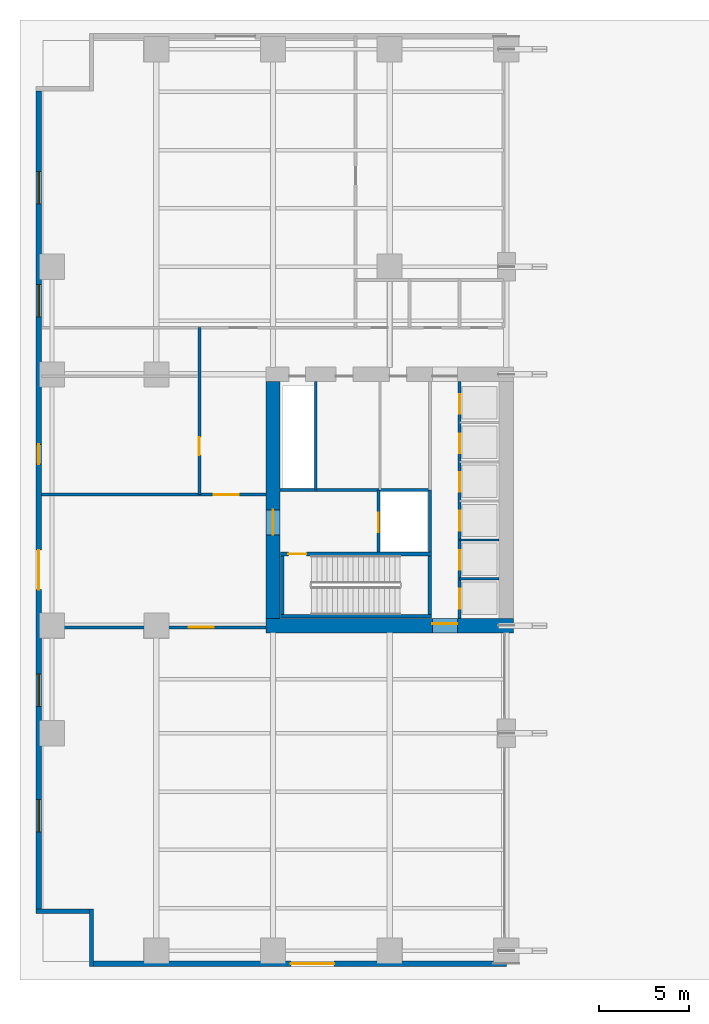
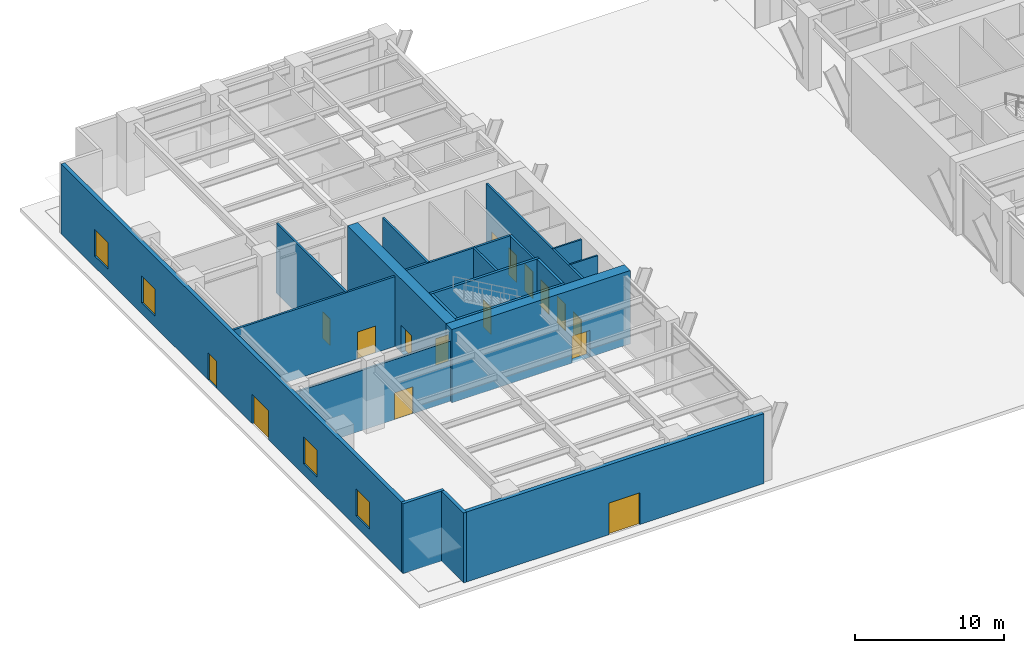
# One storey, part 12 of 20: 20 walls, 16 doors, 4 windows, 20 openings.
"""IFC4 building model written with IfcOpenShell, lengths in metres."""

from ifc_helpers import new_model, si_unit, direction, frame, frame_2d, origin, place, context, subcontext, project, spatial, rectangle, extrude, material, layer, layer_set, type_object, element, fill, save


model = new_model("IFC4")

# Units and contexts
model_context = context("Model", 3, precision=1e-05, world=origin(), true_north=direction((0.0, 1.0)))
body_context = subcontext(model_context, "Body", "Model", "MODEL_VIEW")
ifc_project = project(units=[si_unit("LENGTHUNIT", "METRE"), si_unit("AREAUNIT", "SQUARE_METRE"), si_unit("VOLUMEUNIT", "CUBIC_METRE"), si_unit("PLANEANGLEUNIT", "RADIAN"), si_unit("MASSUNIT", "GRAM", prefix="KILO")], contexts=[model_context])

# Site, building, storey
site_placement = place(None, origin())
site = spatial("IfcSite", under=ifc_project, at=site_placement, CompositionType="ELEMENT")
building_placement = place(site_placement, origin())
building = spatial("IfcBuilding", under=site, at=building_placement, Name="Putna Gate Headquarters", CompositionType="ELEMENT")
storey_placement = place(building_placement, origin())
storey = spatial("IfcBuildingStorey", under=building, at=storey_placement, Name="L00", CompositionType="ELEMENT", Elevation=0.0)

# Wall, opening, door
ifc_material_1 = material(Name="Concrete C60/75", Category="concrete")
ifc_layer_1 = layer(ifc_material_1, 0.800048828125)
ifc_layer_set_1 = layer_set([ifc_layer_1], Name="Concrete C60/75")
wall_type_1 = type_object("IfcWallType", Name="WALL-CORE-800", PredefinedType="SHEAR", material=ifc_layer_set_1)
wall_1_placement = place(storey_placement, frame((12.60009765625, 19.0, 0.0), z_axis=(0.0, 0.0, 1.0), x_axis=(1.0, 0.0, 0.0)))
wall_1 = element("IfcWall", 1, at=wall_1_placement, inside=storey, type_object=wall_type_1, Name="L00 WC Split Core Shear Wall S", PredefinedType="SHEAR", context=body_context, shape_type="SweptSolid", body=[
    extrude(rectangle(XDim=13.7998046875, YDim=0.800048828125, at=frame_2d((6.89990234375, 0.0))), origin(), (0.0, 0.0, 1.0), 6.0),
])
opening_1_placement = place(wall_1_placement, frame((9.280029296875, 0.0, 0.0)))
opening_1 = element("IfcOpeningElement", 2, at=opening_1_placement, cuts=wall_1, Name="Opening FDD-140", PredefinedType="OPENING", context=body_context, shape_type="SweptSolid", body=[
    extrude(rectangle(XDim=1.39990234375, YDim=2.199951171875, at=frame_2d((0.699951171875, 1.10009765625))), frame((0.0, 0.409912109375, 0.0), z_axis=(0.0, -1.0, 0.0), x_axis=(1.0, 0.0, 0.0)), (0.0, 0.0, 1.0), 0.820068359375),
])
ifc_material_2 = material(Name="Double steel fire door", Category="steel")
door_type_1 = type_object("IfcDoorType", Name="DOOR-FIRE-DBL-1400", OperationType="DOUBLE_DOOR_SINGLE_SWING", PredefinedType="DOOR", material=ifc_material_2)
door_1_placement = place(opening_1_placement, origin())
door_1 = element("IfcDoor", 3, at=door_1_placement, inside=storey, type_object=door_type_1, Name="L00 West Lift Lobby South Door", OperationType="DOUBLE_DOOR_SINGLE_SWING", OverallHeight=2.199951171875, OverallWidth=1.39990234375, PredefinedType="DOOR", context=body_context, shape_type="SweptSolid", body=[
    extrude(rectangle(XDim=1.39990234375, YDim=2.199951171875, at=frame_2d((0.699951171875, 1.10009765625))), frame((0.0, 0.125, 0.0), z_axis=(0.0, -1.0, 0.0), x_axis=(1.0, 0.0, 0.0)), (0.0, 0.0, 1.0), 0.050048828125),
])
fill(opening_1, door_1)

wall_2_placement = place(storey_placement, frame((13.0, 19.39990234375, 0.0), z_axis=(0.0, 0.0, 1.0), x_axis=(0.0, 1.0, 0.0)))
wall_2 = element("IfcWall", 4, at=wall_2_placement, inside=storey, type_object=wall_type_1, Name="L00 WC Split Core Shear Wall W", PredefinedType="SHEAR", context=body_context, shape_type="SweptSolid", body=[
    extrude(rectangle(XDim=13.2001953125, YDim=0.800048828125, at=frame_2d((6.60009765625, 0.0))), origin(), (0.0, 0.0, 1.0), 6.0),
])
opening_2_placement = place(wall_2_placement, frame((4.64990234375, 0.0, 0.0)))
opening_2 = element("IfcOpeningElement", 5, at=opening_2_placement, cuts=wall_2, Name="Opening FDD-140", PredefinedType="OPENING", context=body_context, shape_type="SweptSolid", body=[
    extrude(rectangle(XDim=1.39990234375, YDim=2.199951171875, at=frame_2d((0.699951171875, 1.10009765625))), frame((0.0, 0.409912109375, 0.0), z_axis=(0.0, -1.0, 0.0), x_axis=(1.0, 0.0, 0.0)), (0.0, 0.0, 1.0), 0.820068359375),
])
door_2_placement = place(opening_2_placement, origin())
door_2 = element("IfcDoor", 6, at=door_2_placement, inside=storey, type_object=door_type_1, Name="L00 West Firefighting Lobby Door", OperationType="DOUBLE_DOOR_SINGLE_SWING", OverallHeight=2.199951171875, OverallWidth=1.39990234375, PredefinedType="DOOR", context=body_context, shape_type="SweptSolid", body=[
    extrude(rectangle(XDim=1.39990234375, YDim=2.199951171875, at=frame_2d((0.699951171875, 1.10009765625))), frame((0.0, 0.02490234375, 0.0), z_axis=(0.0, -1.0, 0.0), x_axis=(1.0, 0.0, 0.0)), (0.0, 0.0, 1.0), 0.050048828125),
])
fill(opening_2, door_2)

# Wall, openings, doors, windows
ifc_material_3 = material(Name="Precast concrete C40/50", Category="concrete")
ifc_layer_2 = layer(ifc_material_3, 0.300048828125)
ifc_layer_set_2 = layer_set([ifc_layer_2], Name="Precast concrete C40/50")
wall_type_2 = type_object("IfcWallType", Name="WALL-EXT-POD-300", PredefinedType="STANDARD", material=ifc_layer_set_2)
wall_3_placement = place(storey_placement, frame((-0.050048828125, 3.199951171875, 0.0), z_axis=(0.0, 0.0, 1.0), x_axis=(0.0, 1.0, 0.0)))
wall_3 = element("IfcWall", 7, at=wall_3_placement, inside=storey, type_object=wall_type_2, Name="L00 West Exterior Precast Wall", PredefinedType="STANDARD", context=body_context, shape_type="SweptSolid", body=[
    extrude(rectangle(XDim=45.60009765625, YDim=0.300048828125, at=frame_2d((22.800048828125, 0.0))), origin(), (0.0, 0.0, 1.0), 5.719970703125),
])
opening_3_placement = place(wall_3_placement, frame((17.800048828125, 0.0, 0.0)))
opening_3 = element("IfcOpeningElement", 8, at=opening_3_placement, cuts=wall_3, Name="Opening ED-01", PredefinedType="OPENING", context=body_context, shape_type="SweptSolid", body=[
    extrude(rectangle(XDim=2.199951171875, YDim=2.39990234375, at=frame_2d((1.10009765625, 1.199951171875))), frame((0.0, 0.159912109375, 0.0), z_axis=(0.0, -1.0, 0.0), x_axis=(1.0, 0.0, 0.0)), (0.0, 0.0, 1.0), 0.320068359375),
])
opening_4_placement = place(wall_3_placement, frame((24.800048828125, 0.0, 0.0)))
opening_4 = element("IfcOpeningElement", 9, at=opening_4_placement, cuts=wall_3, Name="Opening FD-EXT", PredefinedType="OPENING", context=body_context, shape_type="SweptSolid", body=[
    extrude(rectangle(XDim=1.10009765625, YDim=2.199951171875, at=frame_2d((0.550048828125, 1.10009765625))), frame((0.0, 0.159912109375, 0.0), z_axis=(0.0, -1.0, 0.0), x_axis=(1.0, 0.0, 0.0)), (0.0, 0.0, 1.0), 0.320068359375),
])
opening_5_placement = place(wall_3_placement, frame((4.300048828125, 0.0, 0.89990234375)))
opening_5 = element("IfcOpeningElement", 10, at=opening_5_placement, cuts=wall_3, Name="Opening WN-1", PredefinedType="OPENING", context=body_context, shape_type="SweptSolid", body=[
    extrude(rectangle(XDim=1.800048828125, YDim=2.199951171875, at=frame_2d((0.89990234375, 1.10009765625))), frame((0.0, 0.159912109375, 0.0), z_axis=(0.0, -1.0, 0.0), x_axis=(1.0, 0.0, 0.0)), (0.0, 0.0, 1.0), 0.320068359375),
])
opening_6_placement = place(wall_3_placement, frame((11.300048828125, 0.0, 0.89990234375)))
opening_6 = element("IfcOpeningElement", 11, at=opening_6_placement, cuts=wall_3, Name="Opening WN-1", PredefinedType="OPENING", context=body_context, shape_type="SweptSolid", body=[
    extrude(rectangle(XDim=1.800048828125, YDim=2.199951171875, at=frame_2d((0.89990234375, 1.10009765625))), frame((0.0, 0.159912109375, 0.0), z_axis=(0.0, -1.0, 0.0), x_axis=(1.0, 0.0, 0.0)), (0.0, 0.0, 1.0), 0.320068359375),
])
opening_7_placement = place(wall_3_placement, frame((33.0, 0.0, 0.89990234375)))
opening_7 = element("IfcOpeningElement", 12, at=opening_7_placement, cuts=wall_3, Name="Opening WN-1", PredefinedType="OPENING", context=body_context, shape_type="SweptSolid", body=[
    extrude(rectangle(XDim=1.800048828125, YDim=2.199951171875, at=frame_2d((0.89990234375, 1.10009765625))), frame((0.0, 0.159912109375, 0.0), z_axis=(0.0, -1.0, 0.0), x_axis=(1.0, 0.0, 0.0)), (0.0, 0.0, 1.0), 0.320068359375),
])
opening_8_placement = place(wall_3_placement, frame((39.300048828125, 0.0, 0.89990234375)))
opening_8 = element("IfcOpeningElement", 13, at=opening_8_placement, cuts=wall_3, Name="Opening WN-1", PredefinedType="OPENING", context=body_context, shape_type="SweptSolid", body=[
    extrude(rectangle(XDim=1.800048828125, YDim=2.199951171875, at=frame_2d((0.89990234375, 1.10009765625))), frame((0.0, 0.159912109375, 0.0), z_axis=(0.0, -1.0, 0.0), x_axis=(1.0, 0.0, 0.0)), (0.0, 0.0, 1.0), 0.320068359375),
])
ifc_material_4 = material(Name="Powder-coated steel fire access door", Category="steel")
door_type_2 = type_object("IfcDoorType", Name="DOOR-FCC-EXT-1100", OperationType="SINGLE_SWING_LEFT", PredefinedType="DOOR", material=ifc_material_4)
door_3_placement = place(opening_4_placement, origin())
door_3 = element("IfcDoor", 14, at=door_3_placement, inside=storey, type_object=door_type_2, Name="L00 Fire Command Room Exterior Access Door", OperationType="SINGLE_SWING_LEFT", OverallHeight=2.199951171875, OverallWidth=1.10009765625, PredefinedType="DOOR", context=body_context, shape_type="SweptSolid", body=[
    extrude(rectangle(XDim=1.10009765625, YDim=2.199951171875, at=frame_2d((0.550048828125, 1.10009765625))), frame((0.0, 0.02490234375, 0.0), z_axis=(0.0, -1.0, 0.0), x_axis=(1.0, 0.0, 0.0)), (0.0, 0.0, 1.0), 0.050048828125),
])
fill(opening_4, door_3)
ifc_material_5 = material(Name="Anodised bronze aluminium glazed exit door", Category="aluminium")
door_type_3 = type_object("IfcDoorType", Name="DOOR-FINAL-ED-01", OperationType="DOUBLE_DOOR_SINGLE_SWING", PredefinedType="DOOR", material=ifc_material_5)
door_4_placement = place(opening_3_placement, origin())
door_4 = element("IfcDoor", 15, at=door_4_placement, inside=storey, type_object=door_type_3, Name="L00 Final Exit Discharge Door ED-01", OperationType="DOUBLE_DOOR_SINGLE_SWING", OverallHeight=2.39990234375, OverallWidth=2.199951171875, PredefinedType="DOOR", context=body_context, shape_type="SweptSolid", body=[
    extrude(rectangle(XDim=2.199951171875, YDim=2.39990234375, at=frame_2d((1.10009765625, 1.199951171875))), frame((0.0, 0.02490234375, 0.0), z_axis=(0.0, -1.0, 0.0), x_axis=(1.0, 0.0, 0.0)), (0.0, 0.0, 1.0), 0.050048828125),
])
fill(opening_3, door_4)
ifc_material_6 = material(Name="Triple low-E insulated glazing in bronze aluminium frame", Category="aluminium")
window_type = type_object("IfcWindowType", Name="WIN-EXT-1800x2200", PartitioningType="SINGLE_PANEL", PredefinedType="WINDOW", material=ifc_material_6)
window_1_placement = place(opening_5_placement, origin())
window_1 = element("IfcWindow", 16, at=window_1_placement, inside=storey, type_object=window_type, Name="L00 West Podium Window 1", OverallHeight=2.199951171875, OverallWidth=1.800048828125, PartitioningType="SINGLE_PANEL", PredefinedType="WINDOW", context=body_context, shape_type="SweptSolid", body=[
    extrude(rectangle(XDim=1.800048828125, YDim=2.199951171875, at=frame_2d((0.89990234375, 1.10009765625))), frame((0.0, 0.030029296875, 0.0), z_axis=(0.0, -1.0, 0.0), x_axis=(1.0, 0.0, 0.0)), (0.0, 0.0, 1.0), 0.06005859375),
])
fill(opening_5, window_1)
window_2_placement = place(opening_6_placement, origin())
window_2 = element("IfcWindow", 17, at=window_2_placement, inside=storey, type_object=window_type, Name="L00 West Podium Window 2", OverallHeight=2.199951171875, OverallWidth=1.800048828125, PartitioningType="SINGLE_PANEL", PredefinedType="WINDOW", context=body_context, shape_type="SweptSolid", body=[
    extrude(rectangle(XDim=1.800048828125, YDim=2.199951171875, at=frame_2d((0.89990234375, 1.10009765625))), frame((0.0, 0.030029296875, 0.0), z_axis=(0.0, -1.0, 0.0), x_axis=(1.0, 0.0, 0.0)), (0.0, 0.0, 1.0), 0.06005859375),
])
fill(opening_6, window_2)
window_3_placement = place(opening_7_placement, origin())
window_3 = element("IfcWindow", 18, at=window_3_placement, inside=storey, type_object=window_type, Name="L00 West Podium Window 3", OverallHeight=2.199951171875, OverallWidth=1.800048828125, PartitioningType="SINGLE_PANEL", PredefinedType="WINDOW", context=body_context, shape_type="SweptSolid", body=[
    extrude(rectangle(XDim=1.800048828125, YDim=2.199951171875, at=frame_2d((0.89990234375, 1.10009765625))), frame((0.0, 0.030029296875, 0.0), z_axis=(0.0, -1.0, 0.0), x_axis=(1.0, 0.0, 0.0)), (0.0, 0.0, 1.0), 0.06005859375),
])
fill(opening_7, window_3)
window_4_placement = place(opening_8_placement, origin())
window_4 = element("IfcWindow", 19, at=window_4_placement, inside=storey, type_object=window_type, Name="L00 West Podium Window 4", OverallHeight=2.199951171875, OverallWidth=1.800048828125, PartitioningType="SINGLE_PANEL", PredefinedType="WINDOW", context=body_context, shape_type="SweptSolid", body=[
    extrude(rectangle(XDim=1.800048828125, YDim=2.199951171875, at=frame_2d((0.89990234375, 1.10009765625))), frame((0.0, 0.030029296875, 0.0), z_axis=(0.0, -1.0, 0.0), x_axis=(1.0, 0.0, 0.0)), (0.0, 0.0, 1.0), 0.06005859375),
])
fill(opening_8, window_4)

# Wall, opening, door
wall_4_placement = place(storey_placement, frame((26.0, 0.14990234375, 0.0), z_axis=(0.0, 0.0, 1.0), x_axis=(-1.0, 0.0, 0.0)))
wall_4 = element("IfcWall", 20, at=wall_4_placement, inside=storey, type_object=wall_type_2, Name="L00 South West Main Entrance Wall", PredefinedType="STANDARD", context=body_context, shape_type="SweptSolid", body=[
    extrude(rectangle(XDim=23.0, YDim=0.300048828125, at=frame_2d((11.5, 0.0))), origin(), (0.0, 0.0, 1.0), 5.719970703125),
])
opening_9_placement = place(wall_4_placement, frame((9.60009765625, 0.0, 0.0)))
opening_9 = element("IfcOpeningElement", 21, at=opening_9_placement, cuts=wall_4, Name="Opening MD-1", PredefinedType="OPENING", context=body_context, shape_type="SweptSolid", body=[
    extrude(rectangle(XDim=2.39990234375, YDim=2.60009765625, at=frame_2d((1.199951171875, 1.300048828125))), frame((0.0, 0.159912109375, 0.0), z_axis=(0.0, -1.0, 0.0), x_axis=(1.0, 0.0, 0.0)), (0.0, 0.0, 1.0), 0.320068359375),
])
ifc_material_7 = material(Name="Anodised bronze aluminium entrance door", Category="aluminium")
door_type_4 = type_object("IfcDoorType", Name="DOOR-MAIN-ENT-2400", OperationType="DOUBLE_DOOR_SINGLE_SWING", PredefinedType="DOOR", material=ifc_material_7)
door_5_placement = place(opening_9_placement, origin())
door_5 = element("IfcDoor", 22, at=door_5_placement, inside=storey, type_object=door_type_4, Name="L00 Main Entrance Door West", OperationType="DOUBLE_DOOR_SINGLE_SWING", OverallHeight=2.60009765625, OverallWidth=2.39990234375, PredefinedType="DOOR", context=body_context, shape_type="SweptSolid", body=[
    extrude(rectangle(XDim=2.39990234375, YDim=2.60009765625, at=frame_2d((1.199951171875, 1.300048828125))), frame((0.0, 0.02490234375, 0.0), z_axis=(0.0, -1.0, 0.0), x_axis=(1.0, 0.0, 0.0)), (0.0, 0.0, 1.0), 0.050048828125),
])
fill(opening_9, door_5)

# Walls
ifc_layer_3 = layer(ifc_material_3, 0.239990234375)
ifc_layer_set_3 = layer_set([ifc_layer_3], Name="Precast concrete C40/50")
wall_type_3 = type_object("IfcWallType", Name="WALL-EXT-TERR-240", PredefinedType="STANDARD", material=ifc_layer_set_3)
for number, where, z_axis, x_axis, name in (
    (23, (2.8798828125, 0.0, 0.0), (0.0, 0.0, 1.0), (0.0, 1.0, 0.0), "L00 Corner Notch Return Wall SW-V"),
    (24, (3.0, 3.080078125, 0.0), (0.0, 0.0, 1.0), (-1.0, 0.0, 0.0), "L00 Corner Notch Return Wall SW-H"),
):
    element("IfcWall", number, at=place(storey_placement, frame(where, z_axis=z_axis, x_axis=x_axis)), inside=storey, type_object=wall_type_3, Name=name, PredefinedType="STANDARD", context=body_context, shape_type="SweptSolid", body=[
        extrude(rectangle(XDim=3.199951171875, YDim=0.239990234375, at=frame_2d((1.60009765625, 0.0))), origin(), (0.0, 0.0, 1.0), 5.719970703125),
    ])
ifc_material_8 = material(Name="Fire-rated shaftwall gypsum board on metal stud")
ifc_layer_4 = layer(ifc_material_8, 0.1201171875)
ifc_layer_set_4 = layer_set([ifc_layer_4], Name="Fire-rated shaftwall gypsum board on metal stud")
wall_type_4 = type_object("IfcWallType", Name="WALL-PART-120-EI120", PredefinedType="PARTITIONING", material=ifc_layer_set_4)
for number, where, z_axis, x_axis, name in (
    (25, (23.39990234375, 21.610107421875, 0.0), (0.0, 0.0, 1.0), (1.0, 0.0, 0.0), "L00 Interior Wall CWINT-L00-WC-LF01-DIV"),
    (26, (23.39990234375, 23.780029296875, 0.0), (0.0, 0.0, 1.0), (1.0, 0.0, 0.0), "L00 Interior Wall CWINT-L00-WC-LF02-DIV"),
):
    element("IfcWall", number, at=place(storey_placement, frame(where, z_axis=z_axis, x_axis=x_axis)), inside=storey, type_object=wall_type_4, Name=name, PredefinedType="PARTITIONING", context=body_context, shape_type="SweptSolid", body=[
        extrude(rectangle(XDim=2.2001953125, YDim=0.1201171875, at=frame_2d((1.10009765625, 0.0))), origin(), (0.0, 0.0, 1.0), 5.719970703125),
    ])
ifc_material_9 = material(Name="Concrete C40/50", Category="concrete")
ifc_layer_5 = layer(ifc_material_9, 0.159912109375)
ifc_layer_set_5 = layer_set([ifc_layer_5], Name="Concrete C40/50")
wall_type_5 = type_object("IfcWallType", Name="WALL-SHAFT-160", PredefinedType="STANDARD", material=ifc_layer_set_5)
wall_5_placement = place(storey_placement, frame((21.739990234375, 23.090087890625, 0.0), z_axis=(0.0, 0.0, 1.0), x_axis=(0.0, 1.0, 0.0)))
element("IfcWall", 27, at=wall_5_placement, inside=storey, type_object=wall_type_5, Name="L00 Interior Wall CWINT-L00-WC-FFL-E", PredefinedType="STANDARD", context=body_context, shape_type="SweptSolid", body=[
    extrude(rectangle(XDim=3.469970703125, YDim=0.159912109375, at=frame_2d((1.73486328125, 0.0))), origin(), (0.0, 0.0, 1.0), 5.719970703125),
])

# Wall, opening, door
wall_6_placement = place(storey_placement, frame((18.8798828125, 23.090087890625, 0.0), z_axis=(0.0, 0.0, 1.0), x_axis=(0.0, 1.0, 0.0)))
wall_6 = element("IfcWall", 28, at=wall_6_placement, inside=storey, type_object=wall_type_5, Name="L00 Interior Wall CWINT-L00-WC-LF13-W", PredefinedType="STANDARD", context=body_context, shape_type="SweptSolid", body=[
    extrude(rectangle(XDim=3.469970703125, YDim=0.159912109375, at=frame_2d((1.73486328125, 0.0))), origin(), (0.0, 0.0, 1.0), 5.719970703125),
])
opening_10_placement = place(wall_6_placement, frame((1.10009765625, 0.0, 0.0)))
opening_10 = element("IfcOpeningElement", 29, at=opening_10_placement, cuts=wall_6, Name="Opening LD-1", PredefinedType="OPENING", context=body_context, shape_type="SweptSolid", body=[
    extrude(rectangle(XDim=1.10009765625, YDim=2.199951171875, at=frame_2d((0.550048828125, 1.10009765625))), frame((0.0, 0.08984375, 0.0), z_axis=(0.0, -1.0, 0.0), x_axis=(1.0, 0.0, 0.0)), (0.0, 0.0, 1.0), 0.179931640625),
])
ifc_material_10 = material(Name="Brushed bronze stainless lift landing door")
door_type_5 = type_object("IfcDoorType", Name="DOOR-LIFT-1100", OperationType="DOUBLE_DOOR_SLIDING", PredefinedType="DOOR", material=ifc_material_10)
door_6_placement = place(opening_10_placement, origin())
door_6 = element("IfcDoor", 30, at=door_6_placement, inside=storey, type_object=door_type_5, Name="L00 Lift Landing Door LD-13", OperationType="DOUBLE_DOOR_SLIDING", OverallHeight=2.199951171875, OverallWidth=1.10009765625, PredefinedType="DOOR", context=body_context, shape_type="SweptSolid", body=[
    extrude(rectangle(XDim=1.10009765625, YDim=2.199951171875, at=frame_2d((0.550048828125, 1.10009765625))), frame((0.0, 0.02490234375, 0.0), z_axis=(0.0, -1.0, 0.0), x_axis=(1.0, 0.0, 0.0)), (0.0, 0.0, 1.0), 0.050048828125),
])
fill(opening_10, door_6)

# Walls
wall_7_placement = place(storey_placement, frame((13.39990234375, 26.56005859375, 0.0), z_axis=(0.0, 0.0, 1.0), x_axis=(1.0, 0.0, 0.0)))
element("IfcWall", 31, at=wall_7_placement, inside=storey, type_object=wall_type_5, Name="L00 Interior Wall CWINT-L00-WC-FFL-N", PredefinedType="STANDARD", context=body_context, shape_type="SweptSolid", body=[
    extrude(rectangle(XDim=8.340087890625, YDim=0.159912109375, at=frame_2d((4.169921875, 0.0))), origin(), (0.0, 0.0, 1.0), 5.719970703125),
])
wall_8_placement = place(storey_placement, frame((15.3798828125, 26.56005859375, 0.0), z_axis=(0.0, 0.0, 1.0), x_axis=(0.0, 1.0, 0.0)))
element("IfcWall", 32, at=wall_8_placement, inside=storey, type_object=wall_type_5, Name="L00 Interior Wall CWINT-L00-WC-RISER-E", PredefinedType="STANDARD", context=body_context, shape_type="SweptSolid", body=[
    extrude(rectangle(XDim=6.0400390625, YDim=0.159912109375, at=frame_2d((3.02001953125, 0.0))), origin(), (0.0, 0.0, 1.0), 5.719970703125),
])

# Wall, openings, doors
wall_9_placement = place(storey_placement, frame((23.39990234375, 19.39990234375, 0.0), z_axis=(0.0, 0.0, 1.0), x_axis=(0.0, 1.0, 0.0)))
wall_9 = element("IfcWall", 33, at=wall_9_placement, inside=storey, type_object=wall_type_5, Name="L00 Interior Wall CWINT-L00-WC-PL-WALL", PredefinedType="STANDARD", context=body_context, shape_type="SweptSolid", body=[
    extrude(rectangle(XDim=13.2001953125, YDim=0.159912109375, at=frame_2d((6.60009765625, 0.0))), origin(), (0.0, 0.0, 1.0), 5.719970703125),
])
opening_11_placement = place(wall_9_placement, frame((0.550048828125, 0.0, 0.0)))
opening_11 = element("IfcOpeningElement", 34, at=opening_11_placement, cuts=wall_9, Name="Opening LD-1", PredefinedType="OPENING", context=body_context, shape_type="SweptSolid", body=[
    extrude(rectangle(XDim=1.10009765625, YDim=2.199951171875, at=frame_2d((0.550048828125, 1.10009765625))), frame((0.0, 0.08984375, 0.0), z_axis=(0.0, -1.0, 0.0), x_axis=(1.0, 0.0, 0.0)), (0.0, 0.0, 1.0), 0.179931640625),
])
opening_12_placement = place(wall_9_placement, frame((2.699951171875, 0.0, 0.0)))
opening_12 = element("IfcOpeningElement", 35, at=opening_12_placement, cuts=wall_9, Name="Opening LD-1", PredefinedType="OPENING", context=body_context, shape_type="SweptSolid", body=[
    extrude(rectangle(XDim=1.10009765625, YDim=2.199951171875, at=frame_2d((0.550048828125, 1.10009765625))), frame((0.0, 0.08984375, 0.0), z_axis=(0.0, -1.0, 0.0), x_axis=(1.0, 0.0, 0.0)), (0.0, 0.0, 1.0), 0.179931640625),
])
opening_13_placement = place(wall_9_placement, frame((4.89990234375, 0.0, 0.0)))
opening_13 = element("IfcOpeningElement", 36, at=opening_13_placement, cuts=wall_9, Name="Opening LD-1", PredefinedType="OPENING", context=body_context, shape_type="SweptSolid", body=[
    extrude(rectangle(XDim=1.10009765625, YDim=2.199951171875, at=frame_2d((0.550048828125, 1.10009765625))), frame((0.0, 0.08984375, 0.0), z_axis=(0.0, -1.0, 0.0), x_axis=(1.0, 0.0, 0.0)), (0.0, 0.0, 1.0), 0.179931640625),
])
opening_14_placement = place(wall_9_placement, frame((7.050048828125, 0.0, 0.0)))
opening_14 = element("IfcOpeningElement", 37, at=opening_14_placement, cuts=wall_9, Name="Opening LD-1", PredefinedType="OPENING", context=body_context, shape_type="SweptSolid", body=[
    extrude(rectangle(XDim=1.10009765625, YDim=2.199951171875, at=frame_2d((0.550048828125, 1.10009765625))), frame((0.0, 0.08984375, 0.0), z_axis=(0.0, -1.0, 0.0), x_axis=(1.0, 0.0, 0.0)), (0.0, 0.0, 1.0), 0.179931640625),
])
opening_15_placement = place(wall_9_placement, frame((9.199951171875, 0.0, 0.0)))
opening_15 = element("IfcOpeningElement", 38, at=opening_15_placement, cuts=wall_9, Name="Opening LD-1", PredefinedType="OPENING", context=body_context, shape_type="SweptSolid", body=[
    extrude(rectangle(XDim=1.10009765625, YDim=2.199951171875, at=frame_2d((0.550048828125, 1.10009765625))), frame((0.0, 0.08984375, 0.0), z_axis=(0.0, -1.0, 0.0), x_axis=(1.0, 0.0, 0.0)), (0.0, 0.0, 1.0), 0.179931640625),
])
opening_16_placement = place(wall_9_placement, frame((11.39990234375, 0.0, 0.0)))
opening_16 = element("IfcOpeningElement", 39, at=opening_16_placement, cuts=wall_9, Name="Opening LD-1", PredefinedType="OPENING", context=body_context, shape_type="SweptSolid", body=[
    extrude(rectangle(XDim=1.10009765625, YDim=2.199951171875, at=frame_2d((0.550048828125, 1.10009765625))), frame((0.0, 0.08984375, 0.0), z_axis=(0.0, -1.0, 0.0), x_axis=(1.0, 0.0, 0.0)), (0.0, 0.0, 1.0), 0.179931640625),
])
door_7_placement = place(opening_11_placement, origin())
door_7 = element("IfcDoor", 40, at=door_7_placement, inside=storey, type_object=door_type_5, Name="L00 Lift Landing Door LD-01", OperationType="DOUBLE_DOOR_SLIDING", OverallHeight=2.199951171875, OverallWidth=1.10009765625, PredefinedType="DOOR", context=body_context, shape_type="SweptSolid", body=[
    extrude(rectangle(XDim=1.10009765625, YDim=2.199951171875, at=frame_2d((0.550048828125, 1.10009765625))), frame((0.0, 0.02490234375, 0.0), z_axis=(0.0, -1.0, 0.0), x_axis=(1.0, 0.0, 0.0)), (0.0, 0.0, 1.0), 0.050048828125),
])
fill(opening_11, door_7)
door_8_placement = place(opening_12_placement, origin())
door_8 = element("IfcDoor", 41, at=door_8_placement, inside=storey, type_object=door_type_5, Name="L00 Lift Landing Door LD-02", OperationType="DOUBLE_DOOR_SLIDING", OverallHeight=2.199951171875, OverallWidth=1.10009765625, PredefinedType="DOOR", context=body_context, shape_type="SweptSolid", body=[
    extrude(rectangle(XDim=1.10009765625, YDim=2.199951171875, at=frame_2d((0.550048828125, 1.10009765625))), frame((0.0, 0.02490234375, 0.0), z_axis=(0.0, -1.0, 0.0), x_axis=(1.0, 0.0, 0.0)), (0.0, 0.0, 1.0), 0.050048828125),
])
fill(opening_12, door_8)
door_9_placement = place(opening_13_placement, origin())
door_9 = element("IfcDoor", 42, at=door_9_placement, inside=storey, type_object=door_type_5, Name="L00 Lift Landing Door LD-05", OperationType="DOUBLE_DOOR_SLIDING", OverallHeight=2.199951171875, OverallWidth=1.10009765625, PredefinedType="DOOR", context=body_context, shape_type="SweptSolid", body=[
    extrude(rectangle(XDim=1.10009765625, YDim=2.199951171875, at=frame_2d((0.550048828125, 1.10009765625))), frame((0.0, 0.02490234375, 0.0), z_axis=(0.0, -1.0, 0.0), x_axis=(1.0, 0.0, 0.0)), (0.0, 0.0, 1.0), 0.050048828125),
])
fill(opening_13, door_9)
door_10_placement = place(opening_14_placement, origin())
door_10 = element("IfcDoor", 43, at=door_10_placement, inside=storey, type_object=door_type_5, Name="L00 Lift Landing Door LD-06", OperationType="DOUBLE_DOOR_SLIDING", OverallHeight=2.199951171875, OverallWidth=1.10009765625, PredefinedType="DOOR", context=body_context, shape_type="SweptSolid", body=[
    extrude(rectangle(XDim=1.10009765625, YDim=2.199951171875, at=frame_2d((0.550048828125, 1.10009765625))), frame((0.0, 0.02490234375, 0.0), z_axis=(0.0, -1.0, 0.0), x_axis=(1.0, 0.0, 0.0)), (0.0, 0.0, 1.0), 0.050048828125),
])
fill(opening_14, door_10)
door_11_placement = place(opening_15_placement, origin())
door_11 = element("IfcDoor", 44, at=door_11_placement, inside=storey, type_object=door_type_5, Name="L00 Lift Landing Door LD-09", OperationType="DOUBLE_DOOR_SLIDING", OverallHeight=2.199951171875, OverallWidth=1.10009765625, PredefinedType="DOOR", context=body_context, shape_type="SweptSolid", body=[
    extrude(rectangle(XDim=1.10009765625, YDim=2.199951171875, at=frame_2d((0.550048828125, 1.10009765625))), frame((0.0, 0.02490234375, 0.0), z_axis=(0.0, -1.0, 0.0), x_axis=(1.0, 0.0, 0.0)), (0.0, 0.0, 1.0), 0.050048828125),
])
fill(opening_15, door_11)
door_12_placement = place(opening_16_placement, origin())
door_12 = element("IfcDoor", 45, at=door_12_placement, inside=storey, type_object=door_type_5, Name="L00 Lift Landing Door LD-10", OperationType="DOUBLE_DOOR_SLIDING", OverallHeight=2.199951171875, OverallWidth=1.10009765625, PredefinedType="DOOR", context=body_context, shape_type="SweptSolid", body=[
    extrude(rectangle(XDim=1.10009765625, YDim=2.199951171875, at=frame_2d((0.550048828125, 1.10009765625))), frame((0.0, 0.02490234375, 0.0), z_axis=(0.0, -1.0, 0.0), x_axis=(1.0, 0.0, 0.0)), (0.0, 0.0, 1.0), 0.050048828125),
])
fill(opening_16, door_12)

# Wall, opening, door
wall_10_placement = place(storey_placement, frame((0.10009765625, 18.89990234375, 0.0), z_axis=(0.0, 0.0, 1.0), x_axis=(1.0, 0.0, 0.0)))
wall_10 = element("IfcWall", 46, at=wall_10_placement, inside=storey, type_object=wall_type_5, Name="L00 Interior Wall PART-L00-WEX-S", PredefinedType="STANDARD", context=body_context, shape_type="SweptSolid", body=[
    extrude(rectangle(XDim=12.5, YDim=0.159912109375, at=frame_2d((6.25, 0.0))), origin(), (0.0, 0.0, 1.0), 4.919921875),
])
opening_17_placement = place(wall_10_placement, frame((8.199951171875, 0.0, 0.0)))
opening_17 = element("IfcOpeningElement", 47, at=opening_17_placement, cuts=wall_10, Name="Opening FDD-140", PredefinedType="OPENING", context=body_context, shape_type="SweptSolid", body=[
    extrude(rectangle(XDim=1.39990234375, YDim=2.199951171875, at=frame_2d((0.699951171875, 1.10009765625))), frame((0.0, 0.08984375, 0.0), z_axis=(0.0, -1.0, 0.0), x_axis=(1.0, 0.0, 0.0)), (0.0, 0.0, 1.0), 0.179931640625),
])
door_13_placement = place(opening_17_placement, origin())
door_13 = element("IfcDoor", 48, at=door_13_placement, inside=storey, type_object=door_type_1, Name="L00 Lobby to Exit Passage Door", OperationType="DOUBLE_DOOR_SINGLE_SWING", OverallHeight=2.199951171875, OverallWidth=1.39990234375, PredefinedType="DOOR", context=body_context, shape_type="SweptSolid", body=[
    extrude(rectangle(XDim=1.39990234375, YDim=2.199951171875, at=frame_2d((0.699951171875, 1.10009765625))), frame((0.0, 0.02490234375, 0.0), z_axis=(0.0, -1.0, 0.0), x_axis=(1.0, 0.0, 0.0)), (0.0, 0.0, 1.0), 0.050048828125),
])
fill(opening_17, door_13)

wall_11_placement = place(storey_placement, frame((8.89990234375, 26.300048828125, 0.0), z_axis=(0.0, 0.0, 1.0), x_axis=(0.0, 1.0, 0.0)))
wall_11 = element("IfcWall", 49, at=wall_11_placement, inside=storey, type_object=wall_type_5, Name="L00 Interior Wall PART-L00-FCC-E", PredefinedType="STANDARD", context=body_context, shape_type="SweptSolid", body=[
    extrude(rectangle(XDim=9.300048828125, YDim=0.159912109375, at=frame_2d((4.64990234375, 0.0))), origin(), (0.0, 0.0, 1.0), 5.719970703125),
])
opening_18_placement = place(wall_11_placement, frame((2.199951171875, 0.0, 0.0)))
opening_18 = element("IfcOpeningElement", 50, at=opening_18_placement, cuts=wall_11, Name="Opening IDS-100", PredefinedType="OPENING", context=body_context, shape_type="SweptSolid", body=[
    extrude(rectangle(XDim=1.0, YDim=2.14990234375, at=frame_2d((0.5, 1.074951171875))), frame((0.0, 0.08984375, 0.0), z_axis=(0.0, -1.0, 0.0), x_axis=(1.0, 0.0, 0.0)), (0.0, 0.0, 1.0), 0.179931640625),
])
ifc_material_11 = material(Name="Fire-rated office door")
door_type_6 = type_object("IfcDoorType", Name="DOOR-INT-1000", OperationType="NOTDEFINED", PredefinedType="DOOR", material=ifc_material_11)
door_14_placement = place(opening_18_placement, origin())
door_14 = element("IfcDoor", 51, at=door_14_placement, inside=storey, type_object=door_type_6, Name="L00 Fire Command Room Door", OperationType="SINGLE_SWING_LEFT", OverallHeight=2.14990234375, OverallWidth=1.0, PredefinedType="DOOR", context=body_context, shape_type="SweptSolid", body=[
    extrude(rectangle(XDim=1.0, YDim=2.14990234375, at=frame_2d((0.5, 1.074951171875))), frame((0.0, 0.02490234375, 0.0), z_axis=(0.0, -1.0, 0.0), x_axis=(1.0, 0.0, 0.0)), (0.0, 0.0, 1.0), 0.050048828125),
])
fill(opening_18, door_14)

wall_12_placement = place(storey_placement, frame((0.10009765625, 26.300048828125, 0.0), z_axis=(0.0, 0.0, 1.0), x_axis=(1.0, 0.0, 0.0)))
wall_12 = element("IfcWall", 52, at=wall_12_placement, inside=storey, type_object=wall_type_5, Name="L00 Interior Wall PART-L00-FCC-S", PredefinedType="STANDARD", context=body_context, shape_type="SweptSolid", body=[
    extrude(rectangle(XDim=12.5, YDim=0.159912109375, at=frame_2d((6.25, 0.0))), origin(), (0.0, 0.0, 1.0), 5.719970703125),
])
opening_19_placement = place(wall_12_placement, frame((9.60009765625, 0.0, 0.0)))
opening_19 = element("IfcOpeningElement", 53, at=opening_19_placement, cuts=wall_12, Name="Opening FDD-140", PredefinedType="OPENING", context=body_context, shape_type="SweptSolid", body=[
    extrude(rectangle(XDim=1.39990234375, YDim=2.199951171875, at=frame_2d((0.699951171875, 1.10009765625))), frame((0.0, 0.08984375, 0.0), z_axis=(0.0, -1.0, 0.0), x_axis=(1.0, 0.0, 0.0)), (0.0, 0.0, 1.0), 0.179931640625),
])
door_15_placement = place(opening_19_placement, origin())
door_15 = element("IfcDoor", 54, at=door_15_placement, inside=storey, type_object=door_type_1, Name="L00 West North Corridor Fire Door", OperationType="DOUBLE_DOOR_SINGLE_SWING", OverallHeight=2.199951171875, OverallWidth=1.39990234375, PredefinedType="DOOR", context=body_context, shape_type="SweptSolid", body=[
    extrude(rectangle(XDim=1.39990234375, YDim=2.199951171875, at=frame_2d((0.699951171875, 1.10009765625))), frame((0.0, 0.02490234375, 0.0), z_axis=(0.0, -1.0, 0.0), x_axis=(1.0, 0.0, 0.0)), (0.0, 0.0, 1.0), 0.050048828125),
])
fill(opening_19, door_15)

# Wall
ifc_layer_6 = layer(ifc_material_9, 0.199951171875)
ifc_layer_set_6 = layer_set([ifc_layer_6], Name="Concrete C40/50")
wall_type_6 = type_object("IfcWallType", Name="WALL-SHAFT-RC200", PredefinedType="SHEAR", material=ifc_layer_set_6)
wall_13_placement = place(storey_placement, frame((13.409912109375, 19.510009765625, 0.0), z_axis=(0.0, 0.0, 1.0), x_axis=(1.0, 0.0, 0.0)))
element("IfcWall", 55, at=wall_13_placement, inside=storey, type_object=wall_type_6, Name="L00 Stair ST1 Structural Shaft Wall S", PredefinedType="SHEAR", context=body_context, shape_type="SweptSolid", body=[
    extrude(rectangle(XDim=8.43017578125, YDim=0.199951171875, at=frame_2d((4.215087890625, 0.0))), origin(), (0.0, 0.0, 1.0), 6.0),
])

# Wall, opening, door
wall_14_placement = place(storey_placement, frame((13.409912109375, 22.989990234375, 0.0), z_axis=(0.0, 0.0, 1.0), x_axis=(1.0, 0.0, 0.0)))
wall_14 = element("IfcWall", 56, at=wall_14_placement, inside=storey, type_object=wall_type_6, Name="L00 Stair ST1 Structural Shaft Wall N", PredefinedType="SHEAR", context=body_context, shape_type="SweptSolid", body=[
    extrude(rectangle(XDim=8.43017578125, YDim=0.199951171875, at=frame_2d((4.215087890625, 0.0))), origin(), (0.0, 0.0, 1.0), 6.0),
])
opening_20_placement = place(wall_14_placement, frame((0.449951171875, 0.0, 0.0)))
opening_20 = element("IfcOpeningElement", 57, at=opening_20_placement, cuts=wall_14, Name="Opening FD-100", PredefinedType="OPENING", context=body_context, shape_type="SweptSolid", body=[
    extrude(rectangle(XDim=1.0, YDim=2.14990234375, at=frame_2d((0.5, 1.074951171875))), frame((0.0, 0.10986328125, 0.0), z_axis=(0.0, -1.0, 0.0), x_axis=(1.0, 0.0, 0.0)), (0.0, 0.0, 1.0), 0.219970703125),
])
ifc_material_12 = material(Name="Powder-coated steel fire door", Category="steel")
door_type_7 = type_object("IfcDoorType", Name="DOOR-FIRE-1000", OperationType="NOTDEFINED", PredefinedType="DOOR", material=ifc_material_12)
door_16_placement = place(opening_20_placement, origin())
door_16 = element("IfcDoor", 58, at=door_16_placement, inside=storey, type_object=door_type_7, Name="L00 Stair ST1 Fire Door", OperationType="SINGLE_SWING_LEFT", OverallHeight=2.14990234375, OverallWidth=1.0, PredefinedType="DOOR", context=body_context, shape_type="SweptSolid", body=[
    extrude(rectangle(XDim=1.0, YDim=2.14990234375, at=frame_2d((0.5, 1.074951171875))), frame((0.0, 0.02490234375, 0.0), z_axis=(0.0, -1.0, 0.0), x_axis=(1.0, 0.0, 0.0)), (0.0, 0.0, 1.0), 0.050048828125),
])
fill(opening_20, door_16)

# Walls
for number, where, z_axis, x_axis, name in (
    (59, (13.510009765625, 19.610107421875, 0.0), (0.0, 0.0, 1.0), (0.0, 1.0, 0.0), "L00 Stair ST1 Structural Shaft Wall W"),
    (60, (21.739990234375, 19.610107421875, 0.0), (0.0, 0.0, 1.0), (0.0, 1.0, 0.0), "L00 Stair ST1 Structural Shaft Wall E"),
):
    element("IfcWall", number, at=place(storey_placement, frame(where, z_axis=z_axis, x_axis=x_axis)), inside=storey, type_object=wall_type_6, Name=name, PredefinedType="SHEAR", context=body_context, shape_type="SweptSolid", body=[
        extrude(rectangle(XDim=3.27978515625, YDim=0.199951171875, at=frame_2d((1.639892578125, 0.0))), origin(), (0.0, 0.0, 1.0), 6.0),
    ])

save(model, "model.ifc")
